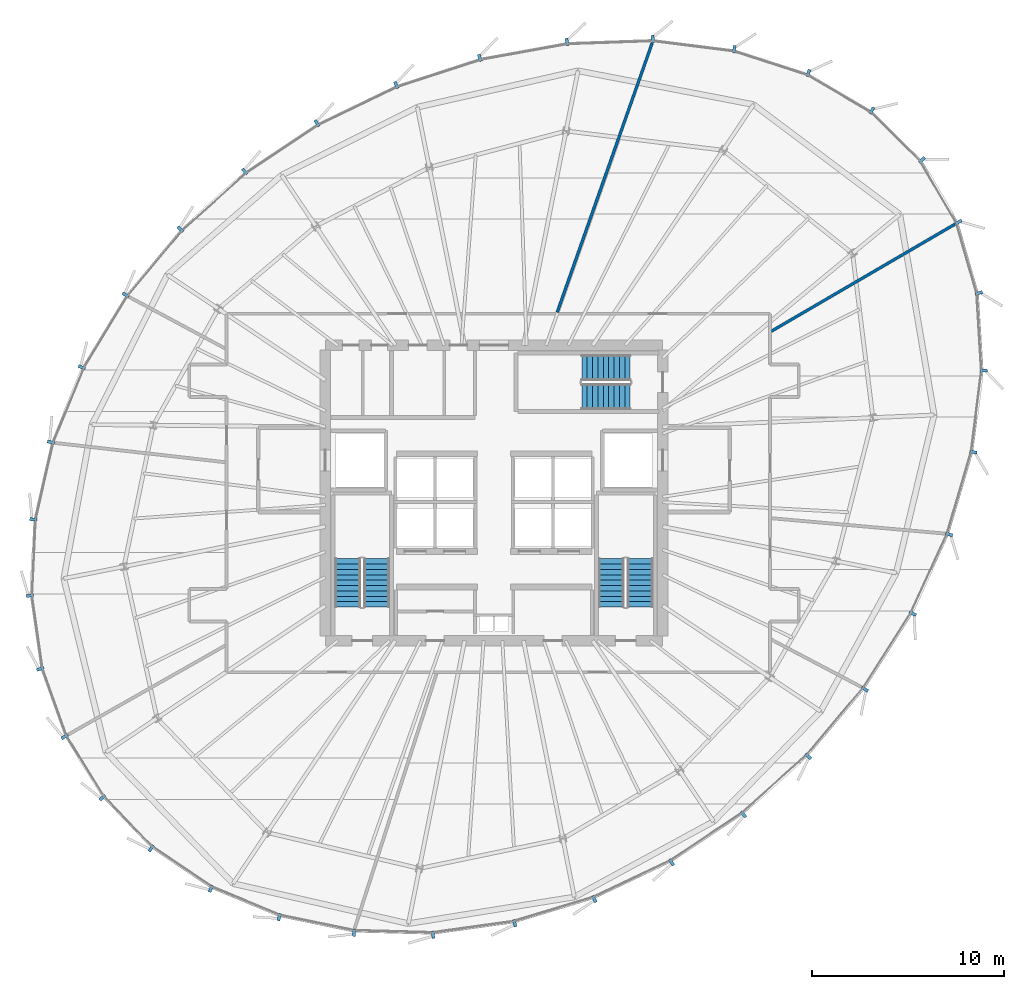
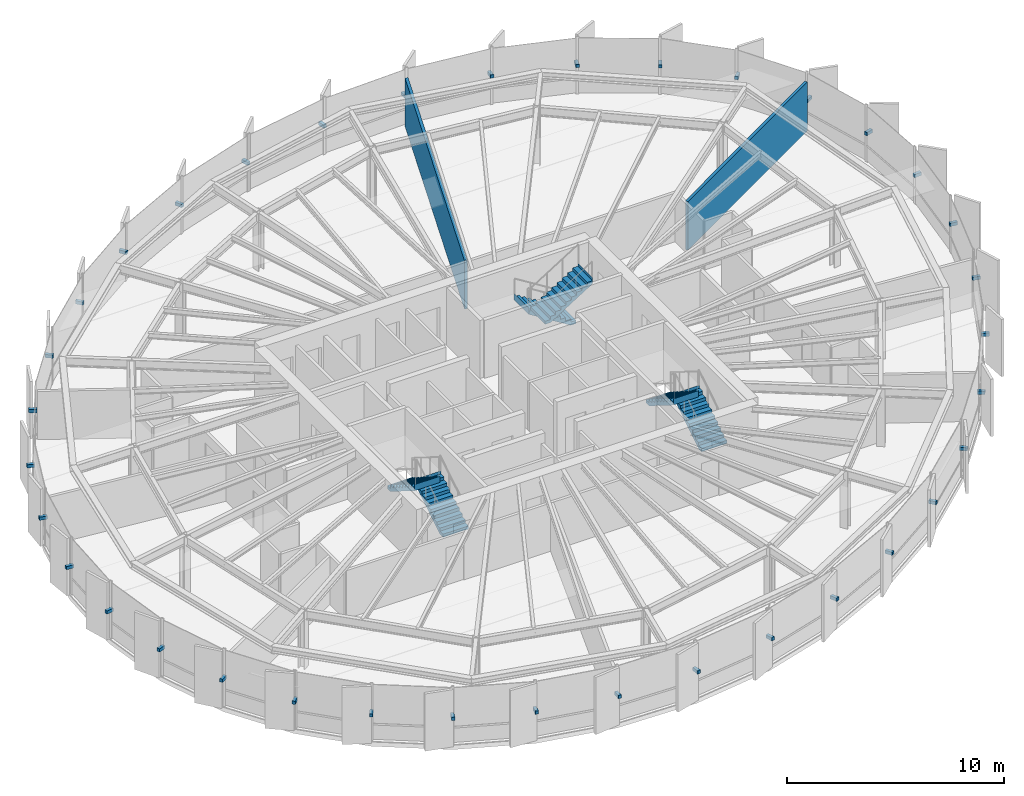
# One storey, part 31 of 34: 36 discrete accessories, 6 stair flights, 2 walls, 3 elements without a shape of their own.
"""IFC4 building model written with IfcOpenShell, lengths in metres."""

from ifc_helpers import new_model, si_unit, direction, frame, frame_2d, origin, origin_2d, place, context, subcontext, project, spatial, polyline, rectangle, outline, extrude, source, transform, mapped, material, layer, layer_set, type_object, element, aggregate, save


model = new_model("IFC4")

# Units and contexts
model_context = context("Model", 3, precision=1e-05, world=origin(), true_north=direction((0.0, 1.0)))
body_context = subcontext(model_context, "Body", "Model", "MODEL_VIEW")
ifc_project = project(units=[si_unit("LENGTHUNIT", "METRE"), si_unit("AREAUNIT", "SQUARE_METRE"), si_unit("VOLUMEUNIT", "CUBIC_METRE"), si_unit("PLANEANGLEUNIT", "RADIAN"), si_unit("MASSUNIT", "GRAM", prefix="KILO"), si_unit("THERMODYNAMICTEMPERATUREUNIT", "KELVIN")], contexts=[model_context])

# Site, building, storey
site_placement = place(None, origin())
site = spatial("IfcSite", under=ifc_project, at=site_placement, CompositionType="ELEMENT")
building_placement = place(site_placement, origin())
building = spatial("IfcBuilding", under=site, at=building_placement, Name="Kethvar Cultural Tower", CompositionType="ELEMENT")
storey_placement = place(building_placement, frame((0.0, 0.0, 186.89990234375)))
storey = spatial("IfcBuildingStorey", under=building, at=storey_placement, Name="L48", CompositionType="ELEMENT", Elevation=186.89990234375)

# Walls
ifc_material_1 = material(Name="Gypsum Acoustic Partition")
ifc_layer = layer(ifc_material_1, 0.14990234375, Name="Gypsum Acoustic Partition")
ifc_layer_set = layer_set([ifc_layer], Name="Gypsum Acoustic Partition (150 mm)")
wall_type = type_object("IfcWallType", Name="WL-PART-150", PredefinedType="PARTITIONING", material=ifc_layer_set)
wall_1_placement = place(storey_placement, frame((61.26904296875, 36.23828125, 0.0), z_axis=(0.0, 0.0, 1.0), x_axis=(0.863843622528, 0.503760057783, 0.0)))
element("IfcWall", 1, at=wall_1_placement, inside=storey, type_object=wall_type, Name="L48 Radial Partition Wall 05", PredefinedType="PARTITIONING", context=body_context, shape_type="SweptSolid", body=[
    extrude(rectangle(XDim=11.080810546875, YDim=0.14990234375, at=frame_2d((5.54052734375, 0.0))), origin(), (0.0, 0.0, 1.0), 2.735107421875),
])
wall_2_placement = place(storey_placement, frame((50.095947265625, 37.225341796875, 0.0), z_axis=(0.0, 0.0, 1.0), x_axis=(0.332557863643, 0.943082852844, 0.0)))
element("IfcWall", 2, at=wall_2_placement, inside=storey, type_object=wall_type, Name="L48 Radial Partition Wall 06", PredefinedType="PARTITIONING", context=body_context, shape_type="SweptSolid", body=[
    extrude(rectangle(XDim=14.9013671875, YDim=0.14990234375, at=frame_2d((7.45068359375, 0.0))), origin(), (0.0, 0.0, 1.0), 2.735107421875),
])

# Stair, stair flights
ifc_material_2 = material(Name="Concrete C40/50", Category="concrete")
stair_type = type_object("IfcStairType", Name="ST-DOGLEG-135", PredefinedType="HALF_TURN_STAIR", material=ifc_material_2)
stair_1_placement = place(storey_placement, origin())
stair_1 = element("IfcStair", 3, at=stair_1_placement, inside=storey, type_object=stair_type, Name="L48 Core Exit Stair 1", PredefinedType="HALF_TURN_STAIR")
stair_flight_type = type_object("IfcStairFlightType", Name="FL-STRAIGHT-135", PredefinedType="STRAIGHT", material=ifc_material_2)
stair_flight_1_placement = place(storey_placement, frame((40.675048828125, 21.85009765625, 0.0), z_axis=(0.0, 0.0, 1.0), x_axis=(0.0, 1.0, 0.0)))
stair_flight_1 = element("IfcStairFlight", 4, at=stair_flight_1_placement, type_object=stair_flight_type, Name="ST-01 flight 1", NumberOfRisers=10, NumberOfTreads=9, PredefinedType="STRAIGHT", RiserHeight=0.175, TreadLength=0.28, context=body_context, shape_type="SweptSolid", body=[
    extrude(outline(polyline([(-0.0009765625, -0.0009765625), (-0.0009765625, 0.175048828125), (0.280029296875, 0.175048828125), (0.280029296875, 0.35009765625), (0.56005859375, 0.35009765625), (0.56005859375, 0.52490234375), (0.840087890625, 0.52490234375), (0.840087890625, 0.699951171875), (1.1201171875, 0.699951171875), (1.1201171875, 0.875), (1.39990234375, 0.875), (1.39990234375, 1.050048828125), (1.679931640625, 1.050048828125), (1.679931640625, 1.22509765625), (1.9599609375, 1.22509765625), (1.9599609375, 1.39990234375), (2.239990234375, 1.39990234375), (2.239990234375, 1.574951171875), (2.52001953125, 1.574951171875), (2.52001953125, 1.75), (2.52099609375, 1.75), (2.52099609375, 1.398193359375), (0.28271484375, 0.0), (0.0, -0.0009765625), (-0.0009765625, -0.0009765625)])), frame((0.0, 0.675048828125, 0.0), z_axis=(0.0, -1.0, 0.0), x_axis=(1.0, 0.0, 0.0)), (0.0, 0.0, 1.0), 1.35009765625),
])
stair_flight_2_placement = place(storey_placement, frame((39.1650390625, 24.3701171875, 1.75), z_axis=(0.0, 0.0, 1.0), x_axis=(0.0, -1.0, 0.0)))
stair_flight_2 = element("IfcStairFlight", 5, at=stair_flight_2_placement, type_object=stair_flight_type, Name="ST-01 flight 2", NumberOfRisers=10, NumberOfTreads=9, PredefinedType="STRAIGHT", RiserHeight=0.175, TreadLength=0.28, context=body_context, shape_type="SweptSolid", body=[
    extrude(outline(polyline([(-0.0009765625, -0.0009765625), (-0.0009765625, 0.175048828125), (0.280029296875, 0.175048828125), (0.280029296875, 0.35009765625), (0.56005859375, 0.35009765625), (0.56005859375, 0.52490234375), (0.840087890625, 0.52490234375), (0.840087890625, 0.699951171875), (1.1201171875, 0.699951171875), (1.1201171875, 0.875), (1.39990234375, 0.875), (1.39990234375, 1.050048828125), (1.679931640625, 1.050048828125), (1.679931640625, 1.22509765625), (1.9599609375, 1.22509765625), (1.9599609375, 1.39990234375), (2.239990234375, 1.39990234375), (2.239990234375, 1.574951171875), (2.52001953125, 1.574951171875), (2.52001953125, 1.75), (2.52099609375, 1.75), (2.52099609375, 1.398193359375), (0.28271484375, 0.0), (0.0, -0.0009765625), (-0.0009765625, -0.0009765625)])), frame((0.0, 0.675048828125, 0.0), z_axis=(0.0, -1.0, 0.0), x_axis=(1.0, 0.0, 0.0)), (0.0, 0.0, 1.0), 1.35009765625),
])
aggregate(stair_1, [stair_flight_1, stair_flight_2])

stair_2_placement = place(storey_placement, origin())
stair_2 = element("IfcStair", 6, at=stair_2_placement, inside=storey, type_object=stair_type, Name="L48 Core Exit Stair 2", PredefinedType="HALF_TURN_STAIR")
stair_flight_3_placement = place(storey_placement, frame((54.43505859375, 21.85009765625, 0.0), z_axis=(0.0, 0.0, 1.0), x_axis=(0.0, 1.0, 0.0)))
stair_flight_3 = element("IfcStairFlight", 7, at=stair_flight_3_placement, type_object=stair_flight_type, Name="ST-02 flight 1", NumberOfRisers=10, NumberOfTreads=9, PredefinedType="STRAIGHT", RiserHeight=0.175, TreadLength=0.28, context=body_context, shape_type="SweptSolid", body=[
    extrude(outline(polyline([(-0.0009765625, -0.0009765625), (-0.0009765625, 0.175048828125), (0.280029296875, 0.175048828125), (0.280029296875, 0.35009765625), (0.56005859375, 0.35009765625), (0.56005859375, 0.52490234375), (0.840087890625, 0.52490234375), (0.840087890625, 0.699951171875), (1.1201171875, 0.699951171875), (1.1201171875, 0.875), (1.39990234375, 0.875), (1.39990234375, 1.050048828125), (1.679931640625, 1.050048828125), (1.679931640625, 1.22509765625), (1.9599609375, 1.22509765625), (1.9599609375, 1.39990234375), (2.239990234375, 1.39990234375), (2.239990234375, 1.574951171875), (2.52001953125, 1.574951171875), (2.52001953125, 1.75), (2.52099609375, 1.75), (2.52099609375, 1.398193359375), (0.28271484375, 0.0), (0.0, -0.0009765625), (-0.0009765625, -0.0009765625)])), frame((0.0, 0.675048828125, 0.0), z_axis=(0.0, -1.0, 0.0), x_axis=(1.0, 0.0, 0.0)), (0.0, 0.0, 1.0), 1.35009765625),
])
stair_flight_4_placement = place(storey_placement, frame((52.925048828125, 24.3701171875, 1.75), z_axis=(0.0, 0.0, 1.0), x_axis=(0.0, -1.0, 0.0)))
stair_flight_4 = element("IfcStairFlight", 8, at=stair_flight_4_placement, type_object=stair_flight_type, Name="ST-02 flight 2", NumberOfRisers=10, NumberOfTreads=9, PredefinedType="STRAIGHT", RiserHeight=0.175, TreadLength=0.28, context=body_context, shape_type="SweptSolid", body=[
    extrude(outline(polyline([(-0.0009765625, -0.0009765625), (-0.0009765625, 0.175048828125), (0.280029296875, 0.175048828125), (0.280029296875, 0.35009765625), (0.56005859375, 0.35009765625), (0.56005859375, 0.52490234375), (0.840087890625, 0.52490234375), (0.840087890625, 0.699951171875), (1.1201171875, 0.699951171875), (1.1201171875, 0.875), (1.39990234375, 0.875), (1.39990234375, 1.050048828125), (1.679931640625, 1.050048828125), (1.679931640625, 1.22509765625), (1.9599609375, 1.22509765625), (1.9599609375, 1.39990234375), (2.239990234375, 1.39990234375), (2.239990234375, 1.574951171875), (2.52001953125, 1.574951171875), (2.52001953125, 1.75), (2.52099609375, 1.75), (2.52099609375, 1.398193359375), (0.28271484375, 0.0), (0.0, -0.0009765625), (-0.0009765625, -0.0009765625)])), frame((0.0, 0.675048828125, 0.0), z_axis=(0.0, -1.0, 0.0), x_axis=(1.0, 0.0, 0.0)), (0.0, 0.0, 1.0), 1.35009765625),
])
aggregate(stair_2, [stair_flight_3, stair_flight_4])

stair_3_placement = place(storey_placement, origin())
stair_3 = element("IfcStair", 9, at=stair_3_placement, inside=storey, type_object=stair_type, Name="L48 Core Exit Stair 3", PredefinedType="HALF_TURN_STAIR")
stair_flight_5_placement = place(storey_placement, frame((53.89990234375, 34.3349609375, 0.0), z_axis=(0.0, 0.0, 1.0), x_axis=(-1.0, 0.0, 0.0)))
stair_flight_5 = element("IfcStairFlight", 10, at=stair_flight_5_placement, type_object=stair_flight_type, Name="ST-03 flight 1", NumberOfRisers=10, NumberOfTreads=9, PredefinedType="STRAIGHT", RiserHeight=0.175, TreadLength=0.28, context=body_context, shape_type="SweptSolid", body=[
    extrude(outline(polyline([(-0.0009765625, -0.0009765625), (-0.0009765625, 0.175048828125), (0.280029296875, 0.175048828125), (0.280029296875, 0.35009765625), (0.56005859375, 0.35009765625), (0.56005859375, 0.52490234375), (0.840087890625, 0.52490234375), (0.840087890625, 0.699951171875), (1.1201171875, 0.699951171875), (1.1201171875, 0.875), (1.39990234375, 0.875), (1.39990234375, 1.050048828125), (1.679931640625, 1.050048828125), (1.679931640625, 1.22509765625), (1.9599609375, 1.22509765625), (1.9599609375, 1.39990234375), (2.239990234375, 1.39990234375), (2.239990234375, 1.574951171875), (2.52001953125, 1.574951171875), (2.52001953125, 1.75), (2.52099609375, 1.75), (2.52099609375, 1.398193359375), (0.28271484375, 0.0), (0.0, -0.0009765625), (-0.0009765625, -0.0009765625)])), frame((0.0, 0.675048828125, 0.0), z_axis=(0.0, -1.0, 0.0), x_axis=(1.0, 0.0, 0.0)), (0.0, 0.0, 1.0), 1.35009765625),
])
stair_flight_6_placement = place(storey_placement, frame((51.3798828125, 32.824951171875, 1.75), z_axis=(0.0, 0.0, 1.0), x_axis=(1.0, 0.0, 0.0)))
stair_flight_6 = element("IfcStairFlight", 11, at=stair_flight_6_placement, type_object=stair_flight_type, Name="ST-03 flight 2", NumberOfRisers=10, NumberOfTreads=9, PredefinedType="STRAIGHT", RiserHeight=0.175, TreadLength=0.28, context=body_context, shape_type="SweptSolid", body=[
    extrude(outline(polyline([(-0.0009765625, -0.0009765625), (-0.0009765625, 0.175048828125), (0.280029296875, 0.175048828125), (0.280029296875, 0.35009765625), (0.56005859375, 0.35009765625), (0.56005859375, 0.52490234375), (0.840087890625, 0.52490234375), (0.840087890625, 0.699951171875), (1.1201171875, 0.699951171875), (1.1201171875, 0.875), (1.39990234375, 0.875), (1.39990234375, 1.050048828125), (1.679931640625, 1.050048828125), (1.679931640625, 1.22509765625), (1.9599609375, 1.22509765625), (1.9599609375, 1.39990234375), (2.239990234375, 1.39990234375), (2.239990234375, 1.574951171875), (2.52001953125, 1.574951171875), (2.52001953125, 1.75), (2.52099609375, 1.75), (2.52099609375, 1.398193359375), (0.28271484375, 0.0), (0.0, -0.0009765625), (-0.0009765625, -0.0009765625)])), frame((0.0, 0.675048828125, 0.0), z_axis=(0.0, -1.0, 0.0), x_axis=(1.0, 0.0, 0.0)), (0.0, 0.0, 1.0), 1.35009765625),
])
aggregate(stair_3, [stair_flight_5, stair_flight_6])

# Discrete accessories
ifc_material_3 = material(Name="Steel S355J2", Category="steel")
discrete_accessory_type = type_object("IfcDiscreteAccessoryType", Name="Steel Fin Bracket BRK-01", PredefinedType="BRACKET", material=ifc_material_3)
shared_shape = source(origin(), body_context, "Body", "SweptSolid", [
    extrude(rectangle(XDim=0.3798828125, YDim=0.159912109375, at=origin_2d()), origin(), (0.0, 0.0, 1.0), 0.179931640625),
])
for number, where, z_axis, x_axis, name in (
    (12, (69.12548828125, 45.16796875, 1.5400390625), (0.0, 0.0, 1.0), (0.703766780108, 0.71043107985, 0.0), "L48 Terracotta Fin Bracket 1.1"),
    (13, (66.51123046875, 47.7568359375, 1.5400390625), (0.0, 0.0, 1.0), (0.50723756673, 0.861806272255, 0.0), "L48 Terracotta Fin Bracket 1.2"),
    (14, (63.1953125, 49.708251953125, 1.5400390625), (0.0, 0.0, 1.0), (0.307522697673, 0.951540745537, 0.0), "L48 Terracotta Fin Bracket 1.3"),
    (15, (59.3330078125, 50.9560546875, 1.5400390625), (0.0, 0.0, 1.0), (0.125160074975, 0.992136560979, 0.0), "L48 Terracotta Fin Bracket 1.4"),
    (16, (55.08056640625, 51.49267578125, 1.5400390625), (0.0, 0.0, 1.0), (-0.035073922775, 0.999384720686, 0.0), "L48 Terracotta Fin Bracket 1.5"),
    (17, (50.60986328125, 51.33544921875, 1.5400390625), (0.0, 0.0, 1.0), (-0.177943545474, 0.984040697646, 0.0), "L48 Terracotta Fin Bracket 1.6"),
    (18, (46.05859375, 50.5068359375, 1.5400390625), (0.0, 0.0, 1.0), (-0.30951492402, 0.950894585014, 0.0), "L48 Terracotta Fin Bracket 2.1"),
    (19, (41.7001953125, 49.088134765625, 1.5400390625), (0.0, 0.0, 1.0), (-0.434759633927, 0.900546534449, 0.0), "L48 Terracotta Fin Bracket 2.2"),
    (20, (37.563232421875, 47.0908203125, 1.5400390625), (0.0, 0.0, 1.0), (-0.555279961531, 0.831663492238, 0.0), "L48 Terracotta Fin Bracket 2.3"),
    (21, (33.789794921875, 44.571533203125, 1.5400390625), (0.0, 0.0, 1.0), (-0.667832555471, 0.744311546231, 0.0), "L48 Terracotta Fin Bracket 2.4"),
    (22, (30.43505859375, 41.561279296875, 1.5400390625), (0.0, 0.0, 1.0), (-0.768171791674, 0.640243780506, 0.0), "L48 Terracotta Fin Bracket 2.5"),
    (23, (27.57763671875, 38.133056640625, 1.5400390625), (0.0, 0.0, 1.0), (-0.854640124453, 0.519220817836, 0.0), "L48 Terracotta Fin Bracket 2.6"),
    (24, (25.28955078125, 34.354736328125, 1.5400390625), (0.0, 0.0, 1.0), (-0.924944582565, 0.38010198524, 0.0), "L48 Terracotta Fin Bracket 3.1"),
    (25, (23.68408203125, 30.447998046875, 1.5400390625), (0.0, 0.0, 1.0), (-0.974916814618, 0.222569549971, 0.0), "L48 Terracotta Fin Bracket 3.2"),
    (26, (22.76611328125, 26.425048828125, 1.5400390625), (0.0, 0.0, 1.0), (-0.998889874962, 0.04710645071, 0.0), "L48 Terracotta Fin Bracket 3.3"),
    (27, (22.578369140625, 22.443359375, 1.5400390625), (0.0, 0.0, 1.0), (-0.989850775563, -0.142110668555, 0.0), "L48 Terracotta Fin Bracket 3.4"),
    (28, (23.126708984375, 18.62451171875, 1.5400390625), (0.0, 0.0, 1.0), (-0.941470544812, -0.337095258423, 0.0), "L48 Terracotta Fin Bracket 3.5"),
    (29, (24.394287109375, 15.084228515625, 1.5400390625), (0.0, 0.0, 1.0), (-0.850719384362, -0.52562013762, 0.0), "L48 Terracotta Fin Bracket 3.6"),
    (30, (26.3701171875, 11.902587890625, 1.5400390625), (0.0, 0.0, 1.0), (-0.720672122155, -0.693276057822, 0.0), "L48 Terracotta Fin Bracket 4.1"),
    (31, (28.913330078125, 9.25927734375, 1.5400390625), (0.0, 0.0, 1.0), (-0.560638994563, -0.828060334622, 0.0), "L48 Terracotta Fin Bracket 4.2"),
    (32, (32.027099609375, 7.1513671875, 1.5400390625), (0.0, 0.0, 1.0), (-0.383811878264, -0.923411307113, 0.0), "L48 Terracotta Fin Bracket 4.3"),
    (33, (35.58984375, 5.6708984375, 1.5400390625), (0.0, 0.0, 1.0), (-0.202787295357, -0.979222810622, 0.0), "L48 Terracotta Fin Bracket 4.4"),
    (34, (39.492919921875, 4.86279296875, 1.5400390625), (0.0, 0.0, 1.0), (-0.026874834341, -0.999638806409, 0.0), "L48 Terracotta Fin Bracket 4.5"),
    (35, (43.617919921875, 4.751708984375, 1.5400390625), (0.0, 0.0, 1.0), (0.138136018543, -0.99041326747, 0.0), "L48 Terracotta Fin Bracket 4.6"),
    (36, (47.876708984375, 5.352294921875, 1.5400390625), (0.0, 0.0, 1.0), (0.290368184947, -0.956914999972, 0.0), "L48 Terracotta Fin Bracket 5.1"),
    (37, (52.029541015625, 6.612548828125, 1.5400390625), (0.0, 0.0, 1.0), (0.42909278862, -0.903260415802, 0.0), "L48 Terracotta Fin Bracket 5.2"),
    (38, (56.060546875, 8.527587890625, 1.5400390625), (0.0, 0.0, 1.0), (0.554844427448, -0.83195412213, 0.0), "L48 Terracotta Fin Bracket 5.3"),
    (39, (59.810302734375, 11.0283203125, 1.5400390625), (0.0, 0.0, 1.0), (0.66744274333, -0.744661120495, 0.0), "L48 Terracotta Fin Bracket 5.4"),
    (40, (63.188720703125, 14.05712890625, 1.5400390625), (0.0, 0.0, 1.0), (0.764133884775, -0.645057676599, 0.0), "L48 Terracotta Fin Bracket 5.5"),
    (41, (66.15185546875, 17.5673828125, 1.5400390625), (0.0, 0.0, 1.0), (0.844047251522, -0.536268810577, 0.0), "L48 Terracotta Fin Bracket 5.6"),
    (42, (68.64697265625, 21.50439453125, 1.5400390625), (0.0, 0.0, 1.0), (0.90887248936, -0.417074091841, 0.0), "L48 Terracotta Fin Bracket 6.1"),
    (43, (70.5439453125, 25.638427734375, 1.5400390625), (0.0, 0.0, 1.0), (0.959264682049, -0.282508884416, 0.0), "L48 Terracotta Fin Bracket 6.2"),
    (44, (71.80810546875, 29.9296875, 1.5400390625), (0.0, 0.0, 1.0), (0.992092811428, -0.125506388335, 0.0), "L48 Terracotta Fin Bracket 6.3"),
    (45, (72.345458984375, 34.1826171875, 1.5400390625), (0.0, 0.0, 1.0), (0.998124128239, 0.06122274599, 0.0), "L48 Terracotta Fin Bracket 6.4"),
    (46, (72.096923828125, 38.23388671875, 1.5400390625), (0.0, 0.0, 1.0), (0.960875896697, 0.276979261222, 0.0), "L48 Terracotta Fin Bracket 6.5"),
    (47, (71.031005859375, 41.93115234375, 1.5400390625), (0.0, 0.0, 1.0), (0.86313126222, 0.504979627488, 0.0), "L48 Terracotta Fin Bracket 6.6"),
):
    element("IfcDiscreteAccessory", number, at=place(storey_placement, frame(where, z_axis=z_axis, x_axis=x_axis)), inside=storey, type_object=discrete_accessory_type, Name=name, PredefinedType="BRACKET", context=body_context, shape_type="MappedRepresentation", body=[
        mapped(shared_shape, transform((0.0, 0.0, 0.0), scale=1.0)),
    ])

save(model, "model.ifc")
